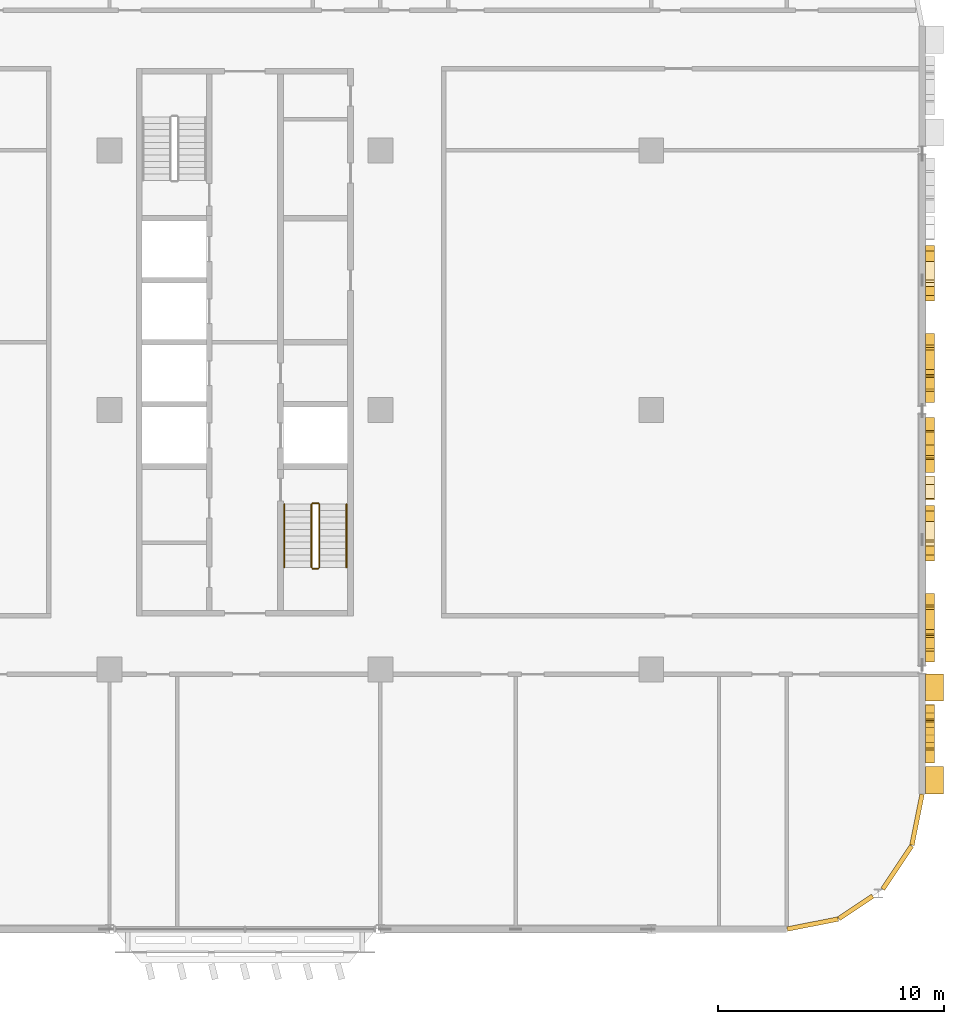
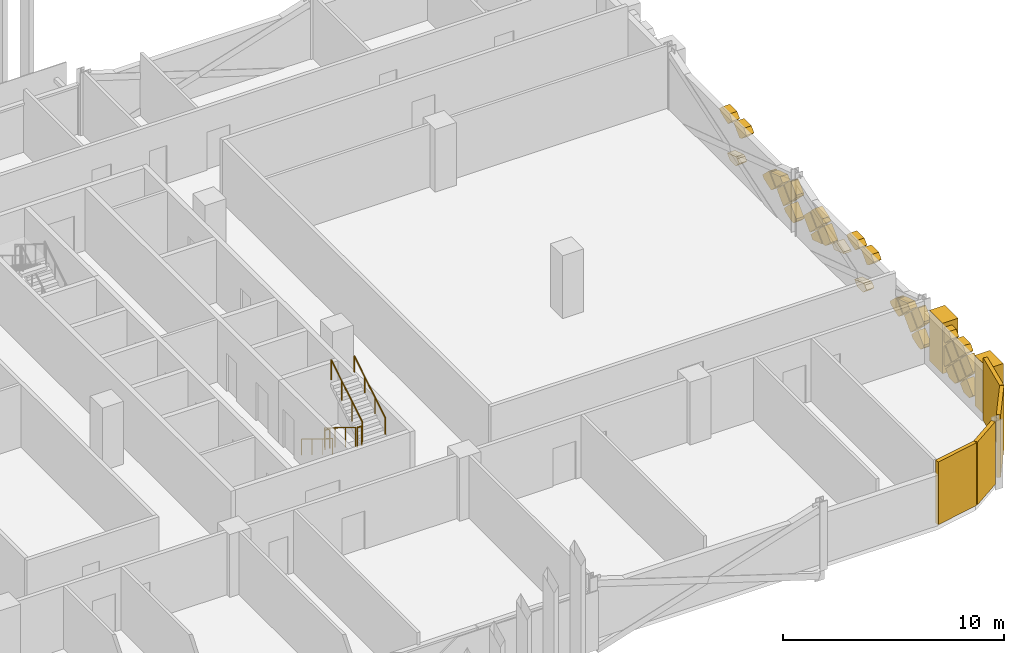
# One storey, part 26 of 28: 35 coverings, 6 railings.
"""IFC4 building model written with IfcOpenShell, lengths in metres."""

from ifc_helpers import new_model, si_unit, direction, frame, origin, origin_2d, place, context, subcontext, project, spatial, polyline, rectangle, circle, outline, extrude, material, layer, layer_set, type_object, element, save


model = new_model("IFC4")

# Units and contexts
model_context = context("Model", 3, precision=1e-05, world=origin(), true_north=direction((0.0, 1.0)))
body_context = subcontext(model_context, "Body", "Model", "MODEL_VIEW")
ifc_project = project(units=[si_unit("LENGTHUNIT", "METRE"), si_unit("AREAUNIT", "SQUARE_METRE"), si_unit("VOLUMEUNIT", "CUBIC_METRE"), si_unit("PLANEANGLEUNIT", "RADIAN"), si_unit("MASSUNIT", "GRAM", prefix="KILO")], contexts=[model_context])

# Site, building, storey
site_placement = place(None, origin())
site = spatial("IfcSite", under=ifc_project, at=site_placement, CompositionType="ELEMENT")
building_placement = place(site_placement, origin())
building = spatial("IfcBuilding", under=site, at=building_placement, Name="Mahtab Terrace Research Tower", CompositionType="ELEMENT")
storey_placement = place(building_placement, frame((0.0, 0.0, 193.89990234375)))
storey = spatial("IfcBuildingStorey", under=building, at=storey_placement, Name="L46", CompositionType="ELEMENT", Elevation=193.89990234375)

# Coverings
ifc_material_1 = material(Name="Black aluminium cladding panel", Category="aluminium")
ifc_layer_1 = layer(ifc_material_1, 0.199951171875)
ifc_layer_set_1 = layer_set([ifc_layer_1], Name="Black metal corner cladding 200")
covering_type_1 = type_object("IfcCoveringType", Name="Black metal corner cladding 200", PredefinedType="CLADDING", material=ifc_layer_set_1)
covering_1_placement = place(storey_placement, frame((49.14794921875, -22.771484375, 0.0), z_axis=(0.0, 0.0, 1.0), x_axis=(0.980760981187, 0.195212442692, 0.0)))
element("IfcCovering", 1, at=covering_1_placement, inside=storey, type_object=covering_type_1, Name="Corner cladding L46 31", PredefinedType="CLADDING", context=body_context, shape_type="SweptSolid", body=[
    extrude(rectangle(XDim=2.30126953125, YDim=0.199951171875, at=origin_2d()), origin(), (0.0, 0.0, 1.0), 3.4599609375),
])
covering_2_placement = place(storey_placement, frame((51.059814453125, -22.032958984375, 0.0), z_axis=(0.0, 0.0, 1.0), x_axis=(0.831655794326, 0.555291490808, 0.0)))
element("IfcCovering", 2, at=covering_2_placement, inside=storey, type_object=covering_type_1, Name="Corner cladding L46 32", PredefinedType="CLADDING", context=body_context, shape_type="SweptSolid", body=[
    extrude(rectangle(XDim=1.797119140625, YDim=0.199951171875, at=origin_2d()), origin(), (0.0, 0.0, 1.0), 3.4599609375),
])
for number, where, z_axis, x_axis, name in (
    (3, (52.89306640625, -20.26953125, 0.0), (0.0, 0.0, 1.0), (0.555291490808, 0.831655794326, 0.0), "Corner cladding L46 33"),
    (4, (53.771484375, -18.14794921875, 0.0), (0.0, 0.0, 1.0), (0.195212442692, 0.980760981187, 0.0), "Corner cladding L46 34"),
):
    element("IfcCovering", number, at=place(storey_placement, frame(where, z_axis=z_axis, x_axis=x_axis)), inside=storey, type_object=covering_type_1, Name=name, PredefinedType="CLADDING", context=body_context, shape_type="SweptSolid", body=[
        extrude(rectangle(XDim=2.30126953125, YDim=0.199951171875, at=origin_2d()), origin(), (0.0, 0.0, 1.0), 3.4599609375),
    ])
ifc_material_2 = material(Name="Bronze anodised aluminium", Category="aluminium")
ifc_layer_2 = layer(ifc_material_2, 0.39990234375)
ifc_layer_set_2 = layer_set([ifc_layer_2], Name="Mashrabiya relief panel 400")
covering_type_2 = type_object("IfcCoveringType", Name="Mashrabiya relief panel 400", PredefinedType="CLADDING", material=ifc_layer_set_2)
covering_3_placement = place(storey_placement, frame((54.14990234375, -15.6298828125, 0.4501953125), z_axis=(-1.0, 0.0, 0.0), x_axis=(0.0, 0.707106781187, 0.707106781187)))
element("IfcCovering", 5, at=covering_3_placement, inside=storey, type_object=covering_type_2, Name="Mashrabiya lattice cell L46 E35.1", PredefinedType="CLADDING", context=body_context, shape_type="SweptSolid", body=[
    extrude(outline(polyline([(0.0, 0.0), (0.8200090846279543, 0.0), (0.820181718119455, 0.820181718119455), (0.3746146765563497, 0.8203543516109556), (-0.00017263349150062335, 0.44556704156310534), (0.0, 0.0)])), origin(), (0.0, 0.0, -1.0), 0.39990234375),
])
covering_4_placement = place(storey_placement, frame((54.14990234375, -15.050048828125, 2.330078125), z_axis=(-1.0, 0.0, 0.0), x_axis=(0.0, 0.707106781187, -0.707106781187)))
element("IfcCovering", 6, at=covering_4_placement, inside=storey, type_object=covering_type_2, Name="Mashrabiya lattice cell L46 E35.2", PredefinedType="CLADDING", context=body_context, shape_type="SweptSolid", body=[
    extrude(outline(polyline([(0.0, 0.0), (0.8203543516109556, 0.0), (0.820181718119455, 0.820181718119455), (0.0001726334915006511, 0.820181718119455), (0.0, 0.0)])), origin(), (0.0, 0.0, -1.0), 0.39990234375),
])
covering_5_placement = place(storey_placement, frame((54.14990234375, -14.39990234375, 1.68017578125), z_axis=(-1.0, 0.0, 0.0), x_axis=(0.0, 0.706957932274, -0.707255598772)))
element("IfcCovering", 7, at=covering_5_placement, inside=storey, type_object=covering_type_2, Name="Mashrabiya lattice cell L46 E35.3", PredefinedType="CLADDING", context=body_context, shape_type="SweptSolid", body=[
    extrude(outline(polyline([(0.0, 0.0), (0.8201817362875763, 0.0), (0.8205270032629295, 0.8201816636150915), (0.00017266982391900276, 0.8203543334390104), (0.0, 0.0)])), origin(), (0.0, 0.0, -1.0), 0.39990234375),
])
covering_6_placement = place(storey_placement, frame((54.14990234375, -13.820068359375, 2.400146484375), z_axis=(-1.0, 0.0, 0.0), x_axis=(0.0, -0.706957932274, -0.707255598772)))
element("IfcCovering", 8, at=covering_6_placement, inside=storey, type_object=covering_type_2, Name="Mashrabiya lattice cell L46 E35.4", PredefinedType="CLADDING", context=body_context, shape_type="SweptSolid", body=[
    extrude(outline(polyline([(0.0, 0.0), (0.8201817362875763, 0.0), (0.8200090664636573, 0.8203543334390104), (0.47059888740630096, 0.8202807888843784), (-0.0002461417060663218, 0.3492375092334373), (0.0, 0.0)])), origin(), (0.0, 0.0, -1.0), 0.39990234375),
])
covering_7_placement = place(storey_placement, frame((54.14990234375, -14.330078125, 0.4501953125), z_axis=(-1.0, 0.0, 0.0), x_axis=(0.0, 0.707255598772, 0.706957932274)))
element("IfcCovering", 9, at=covering_7_placement, inside=storey, type_object=covering_type_2, Name="Mashrabiya lattice cell L46 E35.5", PredefinedType="CLADDING", context=body_context, shape_type="SweptSolid", body=[
    extrude(outline(polyline([(0.0, 0.0), (0.8201817362875763, 0.0), (0.8205270032629295, 0.8201816636150915), (0.37478733808205295, 0.8202754837929868), (9.382017789535957e-05, 0.4457396651808765), (0.0, 0.0)])), origin(), (0.0, 0.0, -1.0), 0.39990234375),
])
covering_8_placement = place(storey_placement, frame((54.14990234375, -13.75, 2.330078125), z_axis=(-1.0, 0.0, 0.0), x_axis=(0.0, 0.707106781187, -0.707106781187)))
element("IfcCovering", 10, at=covering_8_placement, inside=storey, type_object=covering_type_2, Name="Mashrabiya lattice cell L46 E35.6", PredefinedType="CLADDING", context=body_context, shape_type="SweptSolid", body=[
    extrude(outline(polyline([(0.0, 0.0), (0.8203543516109556, 0.0), (0.820181718119455, 0.820181718119455), (0.0, 0.8203543516109556), (0.0, 0.0)])), origin(), (0.0, 0.0, -1.0), 0.39990234375),
])
covering_9_placement = place(storey_placement, frame((54.14990234375, -13.10009765625, 0.52001953125), z_axis=(-1.0, 0.0, 0.0), x_axis=(0.0, -0.706957932274, 0.707255598772)))
element("IfcCovering", 11, at=covering_9_placement, inside=storey, type_object=covering_type_2, Name="Mashrabiya lattice cell L46 E35.7", PredefinedType="CLADDING", context=body_context, shape_type="SweptSolid", body=[
    extrude(outline(polyline([(0.0, 0.0), (0.8201817362875763, 0.0), (0.8205270032629295, 0.8201816636150915), (0.7283407208436468, 0.8202010671685369), (1.9403553445443422e-05, 0.09218628241928274), (0.0, 0.0)])), origin(), (0.0, 0.0, -1.0), 0.39990234375),
])
covering_10_placement = place(storey_placement, frame((54.14990234375, -13.10009765625, 1.820068359375), z_axis=(-1.0, 0.0, 0.0), x_axis=(0.0, -0.706957932274, 0.707255598772)))
element("IfcCovering", 12, at=covering_10_placement, inside=storey, type_object=covering_type_2, Name="Mashrabiya lattice cell L46 E35.8", PredefinedType="CLADDING", context=body_context, shape_type="SweptSolid", body=[
    extrude(outline(polyline([(0.0, 0.0), (0.8201817362875763, 0.0), (0.8204278779936426, 0.3492375092334373), (0.5389219240045402, 0.6308619920452719), (-0.00015326627047352465, 0.09201368526784859), (0.0, 0.0)])), origin(), (0.0, 0.0, -1.0), 0.39990234375),
])
covering_11_placement = place(storey_placement, frame((54.14990234375, -11.1650390625, 0.385009765625), z_axis=(-1.0, 0.0, 0.0), x_axis=(0.0, 0.0, 1.0)))
element("IfcCovering", 13, at=covering_11_placement, inside=storey, type_object=covering_type_2, Name="Mashrabiya lattice cell L46 E36.1", PredefinedType="CLADDING", context=body_context, shape_type="SweptSolid", body=[
    extrude(outline(polyline([(0.0, 0.0), (0.130126953125, 0.0), (0.64501953125, 0.51513671875), (0.065185546875, 1.094970703125), (-0.073974609375, 0.9560546875), (-0.25, 0.424072265625), (-0.25, 0.25), (0.0, 0.0)])), origin(), (0.0, 0.0, -1.0), 0.39990234375),
])
covering_12_placement = place(storey_placement, frame((54.14990234375, -10.070068359375, 1.75), z_axis=(-1.0, 0.0, 0.0), x_axis=(0.0, -0.707106781187, -0.707106781187)))
element("IfcCovering", 14, at=covering_12_placement, inside=storey, type_object=covering_type_2, Name="Mashrabiya lattice cell L46 E36.2", PredefinedType="CLADDING", context=body_context, shape_type="SweptSolid", body=[
    extrude(outline(polyline([(0.0, 0.0), (0.8200090846279543, 0.0), (0.820181718119455, 0.7283407006411241), (0.7281680671496235, 0.8203543516109556), (0.05645115172070336, 0.820181718119455), (0.0, 0.7071067811865476), (0.0, 0.0)])), origin(), (0.0, 0.0, -1.0), 0.39990234375),
])
covering_13_placement = place(storey_placement, frame((54.14990234375, -10.0, 1.68017578125), z_axis=(-1.0, 0.0, 0.0), x_axis=(0.0, 0.707106781187, -0.707106781187)))
element("IfcCovering", 15, at=covering_13_placement, inside=storey, type_object=covering_type_2, Name="Mashrabiya lattice cell L46 E36.3", PredefinedType="CLADDING", context=body_context, shape_type="SweptSolid", body=[
    extrude(outline(polyline([(0.0, 0.0), (0.8203543516109556, 0.0), (0.8203543516109556, 0.8203543516109556), (0.0, 0.8203543516109556), (0.0, 0.0)])), origin(), (0.0, 0.0, -1.0), 0.39990234375),
])
covering_14_placement = place(storey_placement, frame((54.14990234375, -9.35009765625, 1.170166015625), z_axis=(-1.0, 0.0, 0.0), x_axis=(0.0, -0.707106781187, 0.707106781187)))
element("IfcCovering", 16, at=covering_14_placement, inside=storey, type_object=covering_type_2, Name="Mashrabiya lattice cell L46 E36.4", PredefinedType="CLADDING", context=body_context, shape_type="SweptSolid", body=[
    extrude(outline(polyline([(0.0, 0.0), (0.8200090846279543, 0.0), (0.8200090846279543, 0.3069423478881058), (0.0, 0.7198816595575936), (0.0, 0.0)])), origin(), (0.0, 0.0, -1.0), 0.39990234375),
])
covering_15_placement = place(storey_placement, frame((54.14990234375, -9.280029296875, 1.10009765625), z_axis=(-1.0, 0.0, 0.0), x_axis=(0.0, 0.707106781187, 0.707106781187)))
element("IfcCovering", 17, at=covering_15_placement, inside=storey, type_object=covering_type_2, Name="Mashrabiya lattice cell L46 E36.5", PredefinedType="CLADDING", context=body_context, shape_type="SweptSolid", body=[
    extrude(outline(polyline([(0.0, 0.0), (0.7692548381267715, 0.0), (0.8203543516109556, 0.10047269205336196), (0.820181718119455, 0.820181718119455), (0.6109499264207011, 0.820181718119455), (0.0, 0.5120309357908448), (0.0, 0.0)])), origin(), (0.0, 0.0, -1.0), 0.39990234375),
])
covering_16_placement = place(storey_placement, frame((54.14990234375, -6.679931640625, 2.400146484375), z_axis=(-1.0, 0.0, 0.0), x_axis=(0.0, 0.706757161087, 0.707456228506)))
element("IfcCovering", 18, at=covering_16_placement, inside=storey, type_object=covering_type_2, Name="Mashrabiya lattice cell L46 E36.6", PredefinedType="CLADDING", context=body_context, shape_type="SweptSolid", body=[
    extrude(outline(polyline([(0.0, 0.0), (0.34923759597345, 0.0), (0.8199489083379496, 0.4711769021887968), (0.8197761895321619, 0.8205870462972779), (0.08435760558842237, 0.8202235175854915), (-0.00032222638866319375, 0.6518639842656245), (0.0, 0.0)])), origin(), (0.0, 0.0, -1.0), 0.39990234375),
])
covering_17_placement = place(storey_placement, frame((54.14990234375, -6.030029296875, 0.4501953125), z_axis=(-1.0, 0.0, 0.0), x_axis=(0.0, 0.707608453066, 0.706604753133)))
element("IfcCovering", 19, at=covering_17_placement, inside=storey, type_object=covering_type_2, Name="Mashrabiya lattice cell L46 E36.7", PredefinedType="CLADDING", context=body_context, shape_type="SweptSolid", body=[
    extrude(outline(polyline([(0.0, 0.0), (0.24324065078536633, -1.3877787807814457e-17), (0.34426785194579834, 0.05154572560941381), (0.731684754227864, 0.8196626310341004), (0.3751968065838068, 0.8200882723388764), (0.00014359574242875373, 0.44556705186748613), (0.0, 0.0)])), origin(), (0.0, 0.0, -1.0), 0.39990234375),
])
covering_18_placement = place(storey_placement, frame((54.14990234375, -5.3798828125, 2.400146484375), z_axis=(-1.0, 0.0, 0.0), x_axis=(0.0, 0.706757161087, 0.707456228506)))
element("IfcCovering", 20, at=covering_18_placement, inside=storey, type_object=covering_type_2, Name="Mashrabiya lattice cell L46 E36.8", PredefinedType="CLADDING", context=body_context, shape_type="SweptSolid", body=[
    extrude(outline(polyline([(0.0, 0.0), (0.34923759597345, 0.0), (0.8199489083379496, 0.4711769021887968), (0.8197761895321619, 0.8205870462972779), (0.5877568053020243, 0.8204723555487705), (-0.0004319676852259091, 0.5246330312385711), (0.0, 0.0)])), origin(), (0.0, 0.0, -1.0), 0.39990234375),
])
covering_19_placement = place(storey_placement, frame((54.14990234375, -2.919921875, 1.10009765625), z_axis=(-1.0, 0.0, 0.0), x_axis=(0.0, -0.707106781187, -0.707106781187)))
element("IfcCovering", 21, at=covering_19_placement, inside=storey, type_object=covering_type_2, Name="Mashrabiya lattice cell L46 E36.9", PredefinedType="CLADDING", context=body_context, shape_type="SweptSolid", body=[
    extrude(outline(polyline([(0.0, 0.0), (0.26585557691095785, 0.0), (0.6787948885804456, 0.8203543516109555), (0.5897160069661246, 0.8203543516109556), (0.0, 0.5234247462298858), (0.0, 0.0)])), origin(), (0.0, 0.0, -1.0), 0.39990234375),
])
covering_20_placement = place(storey_placement, frame((54.14990234375, -2.780029296875, 1.10009765625), z_axis=(-1.0, 0.0, 0.0), x_axis=(0.0, 0.707106781187, 0.707106781187)))
element("IfcCovering", 22, at=covering_20_placement, inside=storey, type_object=covering_type_2, Name="Mashrabiya lattice cell L46 E36.10", PredefinedType="CLADDING", context=body_context, shape_type="SweptSolid", body=[
    extrude(outline(polyline([(0.0, 0.0), (0.8203543516109556, 0.0), (0.820181718119455, 0.820181718119455), (0.09753792269785144, 0.820181718119455), (0.0, 0.6280406420792627), (0.0, 0.0)])), origin(), (0.0, 0.0, -1.0), 0.39990234375),
])
covering_21_placement = place(storey_placement, frame((54.14990234375, -1.550048828125, 1.030029296875), z_axis=(-1.0, 0.0, 0.0), x_axis=(0.0, 0.707255598772, -0.706957932274)))
element("IfcCovering", 23, at=covering_21_placement, inside=storey, type_object=covering_type_2, Name="Mashrabiya lattice cell L46 E36.11", PredefinedType="CLADDING", context=body_context, shape_type="SweptSolid", body=[
    extrude(outline(polyline([(0.0, 0.0), (0.8201817362875763, 0.0), (0.8201269412340263, 0.2603312994162516), (-0.00014163867290323262, 0.6729253349632287), (0.0, 0.0)])), origin(), (0.0, 0.0, -1.0), 0.39990234375),
])
covering_22_placement = place(storey_placement, frame((54.14990234375, -0.969970703125, 1.75), z_axis=(-1.0, 0.0, 0.0), x_axis=(0.0, -0.707255598772, -0.706957932274)))
element("IfcCovering", 24, at=covering_22_placement, inside=storey, type_object=covering_type_2, Name="Mashrabiya lattice cell L46 E36.12", PredefinedType="CLADDING", context=body_context, shape_type="SweptSolid", body=[
    extrude(outline(polyline([(0.0, 0.0), (0.8201817362875763, 0.0), (0.8203543334390104, 0.8200090664636573), (0.601282473913699, 0.8202278106429486), (-6.366109669742048e-05, 0.5177278658782443), (0.0, 0.0)])), origin(), (0.0, 0.0, -1.0), 0.39990234375),
])
covering_23_placement = place(storey_placement, frame((54.14990234375, -0.89990234375, 0.52001953125), z_axis=(-1.0, 0.0, 0.0), x_axis=(0.0, -0.707106781187, 0.707106781187)))
element("IfcCovering", 25, at=covering_23_placement, inside=storey, type_object=covering_type_2, Name="Mashrabiya lattice cell L46 E36.13", PredefinedType="CLADDING", context=body_context, shape_type="SweptSolid", body=[
    extrude(outline(polyline([(0.0, 0.0), (0.8203543516109556, 0.0), (0.8203543516109556, 0.8203543516109556), (0.021233919454576533, 0.820181718119455), (0.0001726334915006511, 0.7991204321563791), (0.0, 0.0)])), origin(), (0.0, 0.0, -1.0), 0.39990234375),
])
covering_24_placement = place(storey_placement, frame((54.14990234375, 0.3349609375, 0.385009765625), z_axis=(-1.0, 0.0, 0.0), x_axis=(0.0, 0.0, 1.0)))
element("IfcCovering", 26, at=covering_24_placement, inside=storey, type_object=covering_type_2, Name="Mashrabiya lattice cell L46 E37.1", PredefinedType="CLADDING", context=body_context, shape_type="SweptSolid", body=[
    extrude(outline(polyline([(0.0, 0.0), (0.130126953125, 0.0), (0.64501953125, 0.51513671875), (0.065185546875, 1.094970703125), (-0.073974609375, 0.9560546875), (-0.25, 0.424072265625), (-0.25, 0.25), (0.0, 0.0)])), origin(), (0.0, 0.0, -1.0), 0.39990234375),
])
covering_25_placement = place(storey_placement, frame((54.14990234375, 1.429931640625, 1.75), z_axis=(-1.0, 0.0, 0.0), x_axis=(0.0, -0.707106781187, -0.707106781187)))
element("IfcCovering", 27, at=covering_25_placement, inside=storey, type_object=covering_type_2, Name="Mashrabiya lattice cell L46 E37.2", PredefinedType="CLADDING", context=body_context, shape_type="SweptSolid", body=[
    extrude(outline(polyline([(0.0, 0.0), (0.8200090846279543, 0.0), (0.820181718119455, 0.7283407006411241), (0.7281680671496235, 0.8203543516109556), (0.05645115172070336, 0.820181718119455), (0.0, 0.7071067811865476), (0.0, 0.0)])), origin(), (0.0, 0.0, -1.0), 0.39990234375),
])
covering_26_placement = place(storey_placement, frame((54.14990234375, 1.5, 1.68017578125), z_axis=(-1.0, 0.0, 0.0), x_axis=(0.0, 0.707106781187, -0.707106781187)))
element("IfcCovering", 28, at=covering_26_placement, inside=storey, type_object=covering_type_2, Name="Mashrabiya lattice cell L46 E37.3", PredefinedType="CLADDING", context=body_context, shape_type="SweptSolid", body=[
    extrude(outline(polyline([(0.0, 0.0), (0.8203543516109556, 0.0), (0.8203543516109556, 0.8203543516109556), (0.0, 0.8203543516109556), (0.0, 0.0)])), origin(), (0.0, 0.0, -1.0), 0.39990234375),
])
covering_27_placement = place(storey_placement, frame((54.14990234375, 2.14990234375, 1.170166015625), z_axis=(-1.0, 0.0, 0.0), x_axis=(0.0, -0.707106781187, 0.707106781187)))
element("IfcCovering", 29, at=covering_27_placement, inside=storey, type_object=covering_type_2, Name="Mashrabiya lattice cell L46 E37.4", PredefinedType="CLADDING", context=body_context, shape_type="SweptSolid", body=[
    extrude(outline(polyline([(0.0, 0.0), (0.8200090846279543, 0.0), (0.8200090846279543, 0.3069423478881058), (0.0, 0.7198816595575936), (0.0, 0.0)])), origin(), (0.0, 0.0, -1.0), 0.39990234375),
])
covering_28_placement = place(storey_placement, frame((54.14990234375, 2.219970703125, 1.10009765625), z_axis=(-1.0, 0.0, 0.0), x_axis=(0.0, 0.707106781187, 0.707106781187)))
element("IfcCovering", 30, at=covering_28_placement, inside=storey, type_object=covering_type_2, Name="Mashrabiya lattice cell L46 E37.5", PredefinedType="CLADDING", context=body_context, shape_type="SweptSolid", body=[
    extrude(outline(polyline([(0.0, 0.0), (0.7692548381267715, 0.0), (0.8203543516109556, 0.10047269205336196), (0.820181718119455, 0.820181718119455), (0.6109499264207011, 0.820181718119455), (0.0, 0.5120309357908448), (0.0, 0.0)])), origin(), (0.0, 0.0, -1.0), 0.39990234375),
])
covering_29_placement = place(storey_placement, frame((54.14990234375, 4.820068359375, 2.400146484375), z_axis=(-1.0, 0.0, 0.0), x_axis=(0.0, 0.706757161087, 0.707456228506)))
element("IfcCovering", 31, at=covering_29_placement, inside=storey, type_object=covering_type_2, Name="Mashrabiya lattice cell L46 E37.6", PredefinedType="CLADDING", context=body_context, shape_type="SweptSolid", body=[
    extrude(outline(polyline([(0.0, 0.0), (0.34923759597345, 0.0), (0.8199489083379496, 0.4711769021887968), (0.8197761895321619, 0.8205870462972779), (0.08435760558842237, 0.8202235175854915), (-0.00032222638866319375, 0.6518639842656245), (0.0, 0.0)])), origin(), (0.0, 0.0, -1.0), 0.39990234375),
])
covering_30_placement = place(storey_placement, frame((54.14990234375, 5.469970703125, 0.4501953125), z_axis=(-1.0, 0.0, 0.0), x_axis=(0.0, 0.707608453066, 0.706604753133)))
element("IfcCovering", 32, at=covering_30_placement, inside=storey, type_object=covering_type_2, Name="Mashrabiya lattice cell L46 E37.7", PredefinedType="CLADDING", context=body_context, shape_type="SweptSolid", body=[
    extrude(outline(polyline([(0.0, 0.0), (0.24324065078536633, -1.3877787807814457e-17), (0.34426785194579834, 0.05154572560941381), (0.731684754227864, 0.8196626310341004), (0.3751968065838068, 0.8200882723388764), (0.00014359574242875373, 0.44556705186748613), (0.0, 0.0)])), origin(), (0.0, 0.0, -1.0), 0.39990234375),
])
covering_31_placement = place(storey_placement, frame((54.14990234375, 6.1201171875, 2.400146484375), z_axis=(-1.0, 0.0, 0.0), x_axis=(0.0, 0.706757161087, 0.707456228506)))
element("IfcCovering", 33, at=covering_31_placement, inside=storey, type_object=covering_type_2, Name="Mashrabiya lattice cell L46 E37.8", PredefinedType="CLADDING", context=body_context, shape_type="SweptSolid", body=[
    extrude(outline(polyline([(0.0, 0.0), (0.34923759597345, 0.0), (0.8199489083379496, 0.4711769021887968), (0.8197761895321619, 0.8205870462972779), (0.5877568053020243, 0.8204723555487705), (-0.0004319676852259091, 0.5246330312385711), (0.0, 0.0)])), origin(), (0.0, 0.0, -1.0), 0.39990234375),
])
ifc_material_3 = material(Name="Glazed ceramic tile cladding", Category="masonry")
ifc_layer_3 = layer(ifc_material_3, 0.800048828125)
ifc_layer_set_3 = layer_set([ifc_layer_3], Name="Pishtaq frame pier 800")
covering_type_3 = type_object("IfcCoveringType", Name="Pishtaq frame pier 800", PredefinedType="CLADDING", material=ifc_layer_set_3)
for number, where, z_axis, x_axis, name in (
    (34, (54.550048828125, -16.39990234375, 0.0), (0.0, 0.0, 1.0), (0.0, 1.0, 0.0), "Pishtaq frame pier 35a"),
    (35, (54.550048828125, -12.300048828125, 0.0), (0.0, 0.0, 1.0), (0.0, 1.0, 0.0), "Pishtaq frame pier 35b"),
):
    element("IfcCovering", number, at=place(storey_placement, frame(where, z_axis=z_axis, x_axis=x_axis)), inside=storey, type_object=covering_type_3, Name=name, PredefinedType="CLADDING", context=body_context, shape_type="SweptSolid", body=[
        extrude(rectangle(XDim=1.199951171875, YDim=0.800048828125, at=origin_2d()), origin(), (0.0, 0.0, 1.0), 2.781982421875),
    ])

# Railings
ifc_material_4 = material(Name="Stainless steel AISI 304", Category="steel")
railing_type_1 = type_object("IfcRailingType", Name="Stair guard 1100", PredefinedType="GUARDRAIL", material=ifc_material_4)
railing_1_placement = place(storey_placement, frame((26.949951171875, -4.175048828125, 0.1728515625)))
element("IfcRailing", 36, at=railing_1_placement, inside=storey, type_object=railing_type_1, Name="L46 ST4 stair guard 1", PredefinedType="GUARDRAIL", context=body_context, shape_type="SweptSolid", body=[
    extrude(circle(Radius=0.02392578125, at=origin_2d()), frame((0.0, 0.0, 1.076171875), z_axis=(0.0, -0.851089632645, 0.525020415988), x_axis=(1.0, 0.0, 0.0)), (0.0, 0.0, 1.0), 3.2900390625),
    extrude(circle(Radius=0.02099609375, at=origin_2d()), origin(), (0.0, 0.0, 1.0), 1.052001953125),
    extrude(circle(Radius=0.02099609375, at=origin_2d()), frame((0.0, -0.933349609375, 0.57568359375)), (0.0, 0.0, 1.0), 1.052001953125),
    extrude(circle(Radius=0.02099609375, at=origin_2d()), frame((0.0, -1.86669921875, 1.151611328125)), (0.0, 0.0, 1.0), 1.052001953125),
    extrude(circle(Radius=0.02099609375, at=origin_2d()), frame((0.0, -2.800048828125, 1.727294921875)), (0.0, 0.0, 1.0), 1.052001953125),
])
railing_2_placement = place(storey_placement, frame((27.0, -7.02490234375, 1.900146484375)))
element("IfcRailing", 37, at=railing_2_placement, inside=storey, type_object=railing_type_1, Name="L46 ST4 stair guard 2", PredefinedType="GUARDRAIL", context=body_context, shape_type="SweptSolid", body=[
    extrude(circle(Radius=0.02392578125, at=origin_2d()), frame((0.0, 0.0, 1.076171875), z_axis=(1.0, 0.0, 0.0), x_axis=(0.0, 1.0, 0.0)), (0.0, 0.0, 1.0), 0.25),
    extrude(circle(Radius=0.02099609375, at=origin_2d()), origin(), (0.0, 0.0, 1.0), 1.052001953125),
    extrude(circle(Radius=0.02099609375, at=origin_2d()), frame((0.25, 0.0, 0.0)), (0.0, 0.0, 1.0), 1.052001953125),
])
railing_3_placement = place(storey_placement, frame((27.300048828125, -6.97509765625, 2.07275390625)))
element("IfcRailing", 38, at=railing_3_placement, inside=storey, type_object=railing_type_1, Name="L46 ST4 stair guard 3", PredefinedType="GUARDRAIL", context=body_context, shape_type="SweptSolid", body=[
    extrude(circle(Radius=0.02392578125, at=origin_2d()), frame((0.0, 0.0, 1.076171875), z_axis=(0.0, 0.851089632645, 0.525020415988), x_axis=(-1.0, 0.0, 0.0)), (0.0, 0.0, 1.0), 3.2900390625),
    extrude(circle(Radius=0.02099609375, at=origin_2d()), origin(), (0.0, 0.0, 1.0), 1.052001953125),
    extrude(circle(Radius=0.02099609375, at=origin_2d()), frame((0.0, 0.933349609375, 0.57568359375)), (0.0, 0.0, 1.0), 1.052001953125),
    extrude(circle(Radius=0.02099609375, at=origin_2d()), frame((0.0, 1.86669921875, 1.151611328125)), (0.0, 0.0, 1.0), 1.052001953125),
    extrude(circle(Radius=0.02099609375, at=origin_2d()), frame((0.0, 2.800048828125, 1.727294921875)), (0.0, 0.0, 1.0), 1.052001953125),
])
railing_4_placement = place(storey_placement, frame((27.0, -4.125, 0.0)))
element("IfcRailing", 39, at=railing_4_placement, inside=storey, type_object=railing_type_1, Name="L46 ST4 stair guard 4", PredefinedType="GUARDRAIL", context=body_context, shape_type="SweptSolid", body=[
    extrude(circle(Radius=0.02392578125, at=origin_2d()), frame((0.0, 0.0, 1.076171875), z_axis=(1.0, 0.0, 0.0), x_axis=(0.0, 1.0, 0.0)), (0.0, 0.0, 1.0), 0.25),
    extrude(circle(Radius=0.02099609375, at=origin_2d()), origin(), (0.0, 0.0, 1.0), 1.052001953125),
    extrude(circle(Radius=0.02099609375, at=origin_2d()), frame((0.25, 0.0, 0.0)), (0.0, 0.0, 1.0), 1.052001953125),
])
railing_type_2 = type_object("IfcRailingType", Name="Stair handrail 900", PredefinedType="HANDRAIL", material=ifc_material_4)
railing_5_placement = place(storey_placement, frame((25.75, -4.175048828125, 0.1728515625)))
element("IfcRailing", 40, at=railing_5_placement, inside=storey, type_object=railing_type_2, Name="L46 ST4 stair handrail 1", PredefinedType="HANDRAIL", context=body_context, shape_type="SweptSolid", body=[
    extrude(circle(Radius=0.02392578125, at=origin_2d()), frame((0.0, 0.0, 0.8759765625), z_axis=(0.0, -0.851089632645, 0.525020415988), x_axis=(1.0, 0.0, 0.0)), (0.0, 0.0, 1.0), 3.2900390625),
    extrude(circle(Radius=0.02099609375, at=origin_2d()), origin(), (0.0, 0.0, 1.0), 0.851806640625),
    extrude(circle(Radius=0.02099609375, at=origin_2d()), frame((0.0, -0.933349609375, 0.57568359375)), (0.0, 0.0, 1.0), 0.851806640625),
    extrude(circle(Radius=0.02099609375, at=origin_2d()), frame((0.0, -1.86669921875, 1.151611328125)), (0.0, 0.0, 1.0), 0.851806640625),
    extrude(circle(Radius=0.02099609375, at=origin_2d()), frame((0.0, -2.800048828125, 1.727294921875)), (0.0, 0.0, 1.0), 0.851806640625),
])
railing_6_placement = place(storey_placement, frame((28.5, -6.97509765625, 2.07275390625)))
element("IfcRailing", 41, at=railing_6_placement, inside=storey, type_object=railing_type_2, Name="L46 ST4 stair handrail 2", PredefinedType="HANDRAIL", context=body_context, shape_type="SweptSolid", body=[
    extrude(circle(Radius=0.02392578125, at=origin_2d()), frame((0.0, 0.0, 0.8759765625), z_axis=(0.0, 0.851089632645, 0.525020415988), x_axis=(-1.0, 0.0, 0.0)), (0.0, 0.0, 1.0), 3.2900390625),
    extrude(circle(Radius=0.02099609375, at=origin_2d()), origin(), (0.0, 0.0, 1.0), 0.851806640625),
    extrude(circle(Radius=0.02099609375, at=origin_2d()), frame((0.0, 0.933349609375, 0.57568359375)), (0.0, 0.0, 1.0), 0.851806640625),
    extrude(circle(Radius=0.02099609375, at=origin_2d()), frame((0.0, 1.86669921875, 1.151611328125)), (0.0, 0.0, 1.0), 0.851806640625),
    extrude(circle(Radius=0.02099609375, at=origin_2d()), frame((0.0, 2.800048828125, 1.727294921875)), (0.0, 0.0, 1.0), 0.851806640625),
])

save(model, "model.ifc")
